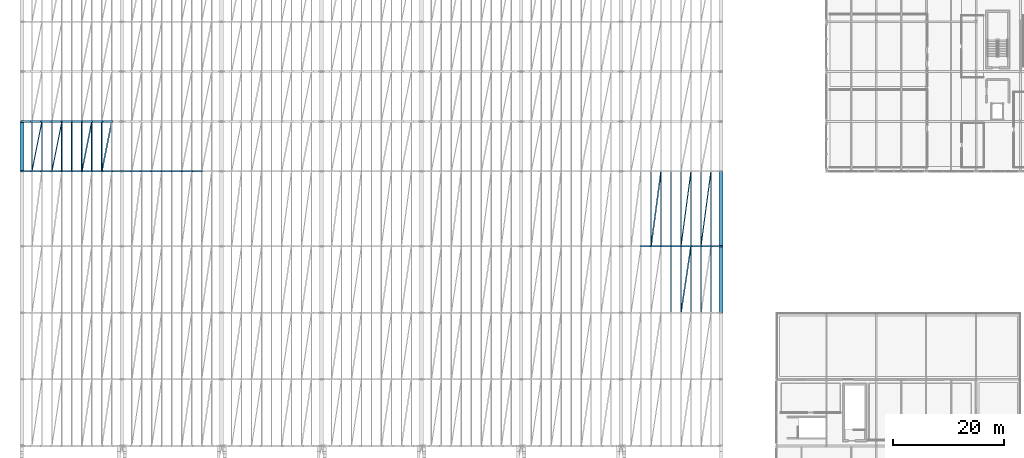
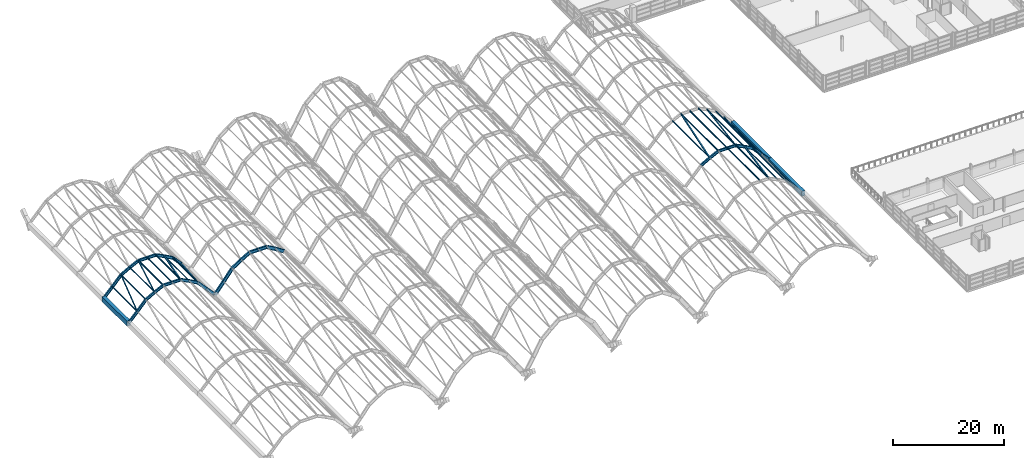
# One storey, part 17 of 86: 38 beams, 28 members.
"""IFC4 building model written with IfcOpenShell, lengths in metres."""

from ifc_helpers import new_model, si_unit, direction, frame, origin, origin_2d, place, context, subcontext, project, spatial, rectangle, i_section, extrude, material, material_profile, profile_set, type_object, element, save


model = new_model("IFC4")

# Units and contexts
model_context = context("Model", 3, precision=1e-05, world=origin(), true_north=direction((0.0, 1.0)))
body_context = subcontext(model_context, "Body", "Model", "MODEL_VIEW")
ifc_project = project(units=[si_unit("LENGTHUNIT", "METRE"), si_unit("AREAUNIT", "SQUARE_METRE"), si_unit("VOLUMEUNIT", "CUBIC_METRE"), si_unit("PLANEANGLEUNIT", "RADIAN"), si_unit("MASSUNIT", "GRAM", prefix="KILO")], contexts=[model_context])

# Site, building, storey
site_placement = place(None, origin())
site = spatial("IfcSite", under=ifc_project, at=site_placement, CompositionType="ELEMENT")
building_placement = place(site_placement, origin())
building = spatial("IfcBuilding", under=site, at=building_placement, Name="Chuanluo Vaults Station", CompositionType="ELEMENT")
storey_placement = place(building_placement, frame((0.0, 0.0, 14.39990234375)))
storey = spatial("IfcBuildingStorey", under=building, at=storey_placement, Name="L03", CompositionType="ELEMENT", Elevation=14.39990234375)

# Beams
ifc_material_1 = material(Name="Concrete C50", Category="concrete")
ifc_material_profile_1 = material_profile(ifc_material_1, rectangle(XDim=0.699951171875, YDim=1.10009765625, at=origin_2d()))
ifc_profile_set_1 = profile_set([ifc_material_profile_1], Name="Concrete C50")
beam_type_1 = type_object("IfcBeamType", Name="BM-VAL-RC", PredefinedType="USERDEFINED", material=ifc_profile_set_1)
beam_1_placement = place(storey_placement, frame((0.0, 67.5, -0.7998046875), z_axis=(0.0, 1.0, 0.0), x_axis=(-1.0, 0.0, 0.0)))
element("IfcBeam", 1, at=beam_1_placement, inside=storey, type_object=beam_type_1, Name="Vault springing valley beam X0-5", ObjectType="GIRDER", PredefinedType="USERDEFINED", context=body_context, shape_type="SweptSolid", body=[
    extrude(rectangle(XDim=0.699951171875, YDim=1.10009765625, at=origin_2d()), origin(), (0.0, 0.0, 1.0), 9.0),
])
beam_2_placement = place(storey_placement, frame((126.0, 42.0, -0.7998046875), z_axis=(0.0, 1.0, 0.0), x_axis=(-1.0, 0.0, 0.0)))
element("IfcBeam", 2, at=beam_2_placement, inside=storey, type_object=beam_type_1, Name="Vault springing valley beam X126-3", ObjectType="GIRDER", PredefinedType="USERDEFINED", context=body_context, shape_type="SweptSolid", body=[
    extrude(rectangle(XDim=0.699951171875, YDim=1.10009765625, at=origin_2d()), origin(), (0.0, 0.0, 1.0), 12.0),
])
beam_3_placement = place(storey_placement, frame((126.0, 54.0, -0.7998046875), z_axis=(0.0, 1.0, 0.0), x_axis=(-1.0, 0.0, 0.0)))
element("IfcBeam", 3, at=beam_3_placement, inside=storey, type_object=beam_type_1, Name="Vault springing valley beam X126-4", ObjectType="GIRDER", PredefinedType="USERDEFINED", context=body_context, shape_type="SweptSolid", body=[
    extrude(rectangle(XDim=0.699951171875, YDim=1.10009765625, at=origin_2d()), origin(), (0.0, 0.0, 1.0), 13.5),
])
ifc_material_2 = material(Name="Steel Q355C", Category="steel")
ifc_material_profile_2 = material_profile(ifc_material_2, i_section(OverallWidth=0.300048828125, OverallDepth=0.587890625, WebThickness=0.011962890625, FlangeThickness=0.02001953125, FilletRadius=0.02392578125, at=origin_2d()))
ifc_profile_set_2 = profile_set([ifc_material_profile_2], Name="Steel Q355C")
beam_type_2 = type_object("IfcBeamType", Name="BM-VLT-600", PredefinedType="USERDEFINED", material=ifc_profile_set_2)
beam_4_placement = place(storey_placement, frame((0.0, 67.5, -0.743896484375), z_axis=(0.684521510403, 0.0, 0.728992662374), x_axis=(0.0, 1.0, 0.0)))
element("IfcBeam", 4, at=beam_4_placement, inside=storey, type_object=beam_type_2, Name="Vault V1 arch rib 5 chord 1", ObjectType="GIRDER", PredefinedType="USERDEFINED", context=body_context, shape_type="SweptSolid", body=[
    extrude(i_section(OverallWidth=0.300048828125, OverallDepth=0.587890625, WebThickness=0.011962890625, FlangeThickness=0.02001953125, FilletRadius=0.02392578125, at=origin_2d()), origin(), (0.0, 0.0, 1.0), 2.629638671875),
])
beam_5_placement = place(storey_placement, frame((1.800048828125, 67.5, 1.173095703125), z_axis=(0.674369120381, 0.0, 0.738394399679), x_axis=(0.0, 1.0, 0.0)))
element("IfcBeam", 5, at=beam_5_placement, inside=storey, type_object=beam_type_2, Name="Vault V1 arch rib 5 chord 2", ObjectType="GIRDER", PredefinedType="USERDEFINED", context=body_context, shape_type="SweptSolid", body=[
    extrude(i_section(OverallWidth=0.300048828125, OverallDepth=0.587890625, WebThickness=0.011962890625, FlangeThickness=0.02001953125, FilletRadius=0.02392578125, at=origin_2d()), origin(), (0.0, 0.0, 1.0), 2.669189453125),
])
beam_6_placement = place(storey_placement, frame((3.60009765625, 67.5, 3.14404296875), z_axis=(0.873681685546, 0.0, 0.486498008569), x_axis=(0.0, 1.0, 0.0)))
element("IfcBeam", 6, at=beam_6_placement, inside=storey, type_object=beam_type_2, Name="Vault V1 arch rib 5 chord 3", ObjectType="GIRDER", PredefinedType="USERDEFINED", context=body_context, shape_type="SweptSolid", body=[
    extrude(i_section(OverallWidth=0.300048828125, OverallDepth=0.587890625, WebThickness=0.011962890625, FlangeThickness=0.02001953125, FilletRadius=0.02392578125, at=origin_2d()), origin(), (0.0, 0.0, 1.0), 2.06005859375),
])
beam_7_placement = place(storey_placement, frame((5.39990234375, 67.5, 4.146240234375), z_axis=(0.896436371213, 0.0, 0.443172463457), x_axis=(0.0, 1.0, 0.0)))
element("IfcBeam", 7, at=beam_7_placement, inside=storey, type_object=beam_type_2, Name="Vault V1 arch rib 5 chord 4", ObjectType="GIRDER", PredefinedType="USERDEFINED", context=body_context, shape_type="SweptSolid", body=[
    extrude(i_section(OverallWidth=0.300048828125, OverallDepth=0.587890625, WebThickness=0.011962890625, FlangeThickness=0.02001953125, FilletRadius=0.02392578125, at=origin_2d()), origin(), (0.0, 0.0, 1.0), 2.008056640625),
])
for number, where, z_axis, x_axis, name in (
    (8, (7.199951171875, 67.5, 5.0361328125), (1.0, 0.0, 0.0), (0.0, 1.0, 0.0), "Vault V1 arch rib 5 chord 5"),
    (9, (9.0, 67.5, 5.0361328125), (1.0, 0.0, 0.0), (0.0, 1.0, 0.0), "Vault V1 arch rib 5 chord 6"),
):
    element("IfcBeam", number, at=place(storey_placement, frame(where, z_axis=z_axis, x_axis=x_axis)), inside=storey, type_object=beam_type_2, Name=name, ObjectType="GIRDER", PredefinedType="USERDEFINED", context=body_context, shape_type="SweptSolid", body=[
        extrude(i_section(OverallWidth=0.300048828125, OverallDepth=0.587890625, WebThickness=0.011962890625, FlangeThickness=0.02001953125, FilletRadius=0.02392578125, at=origin_2d()), origin(), (0.0, 0.0, 1.0), 1.800048828125),
    ])
beam_8_placement = place(storey_placement, frame((10.800048828125, 67.5, 5.0361328125), z_axis=(0.896436371213, 0.0, -0.443172463457), x_axis=(0.0, 1.0, 0.0)))
element("IfcBeam", 10, at=beam_8_placement, inside=storey, type_object=beam_type_2, Name="Vault V1 arch rib 5 chord 7", ObjectType="GIRDER", PredefinedType="USERDEFINED", context=body_context, shape_type="SweptSolid", body=[
    extrude(i_section(OverallWidth=0.300048828125, OverallDepth=0.587890625, WebThickness=0.011962890625, FlangeThickness=0.02001953125, FilletRadius=0.02392578125, at=origin_2d()), origin(), (0.0, 0.0, 1.0), 2.008056640625),
])
beam_9_placement = place(storey_placement, frame((12.60009765625, 67.5, 4.146240234375), z_axis=(0.873681685546, 0.0, -0.486498008569), x_axis=(0.0, 1.0, 0.0)))
element("IfcBeam", 11, at=beam_9_placement, inside=storey, type_object=beam_type_2, Name="Vault V1 arch rib 5 chord 8", ObjectType="GIRDER", PredefinedType="USERDEFINED", context=body_context, shape_type="SweptSolid", body=[
    extrude(i_section(OverallWidth=0.300048828125, OverallDepth=0.587890625, WebThickness=0.011962890625, FlangeThickness=0.02001953125, FilletRadius=0.02392578125, at=origin_2d()), origin(), (0.0, 0.0, 1.0), 2.06005859375),
])
beam_10_placement = place(storey_placement, frame((14.39990234375, 67.5, 3.14404296875), z_axis=(0.674369120381, 0.0, -0.738394399679), x_axis=(0.0, 1.0, 0.0)))
element("IfcBeam", 12, at=beam_10_placement, inside=storey, type_object=beam_type_2, Name="Vault V1 arch rib 5 chord 9", ObjectType="GIRDER", PredefinedType="USERDEFINED", context=body_context, shape_type="SweptSolid", body=[
    extrude(i_section(OverallWidth=0.300048828125, OverallDepth=0.587890625, WebThickness=0.011962890625, FlangeThickness=0.02001953125, FilletRadius=0.02392578125, at=origin_2d()), origin(), (0.0, 0.0, 1.0), 2.669189453125),
])
for number, where, z_axis, x_axis, name in (
    (13, (16.199951171875, 67.5, 1.173095703125), (0.684521510403, 0.0, -0.728992662374), (0.0, 1.0, 0.0), "Vault V1 arch rib 5 chord 10"),
    (14, (0.0, 76.5, -0.743896484375), (0.684521510403, 0.0, 0.728992662374), (0.0, 1.0, 0.0), "Vault V1 arch rib 6 chord 1"),
):
    element("IfcBeam", number, at=place(storey_placement, frame(where, z_axis=z_axis, x_axis=x_axis)), inside=storey, type_object=beam_type_2, Name=name, ObjectType="GIRDER", PredefinedType="USERDEFINED", context=body_context, shape_type="SweptSolid", body=[
        extrude(i_section(OverallWidth=0.300048828125, OverallDepth=0.587890625, WebThickness=0.011962890625, FlangeThickness=0.02001953125, FilletRadius=0.02392578125, at=origin_2d()), origin(), (0.0, 0.0, 1.0), 2.629638671875),
    ])
beam_11_placement = place(storey_placement, frame((1.800048828125, 76.5, 1.173095703125), z_axis=(0.674369120381, 0.0, 0.738394399679), x_axis=(0.0, 1.0, 0.0)))
element("IfcBeam", 15, at=beam_11_placement, inside=storey, type_object=beam_type_2, Name="Vault V1 arch rib 6 chord 2", ObjectType="GIRDER", PredefinedType="USERDEFINED", context=body_context, shape_type="SweptSolid", body=[
    extrude(i_section(OverallWidth=0.300048828125, OverallDepth=0.587890625, WebThickness=0.011962890625, FlangeThickness=0.02001953125, FilletRadius=0.02392578125, at=origin_2d()), origin(), (0.0, 0.0, 1.0), 2.669189453125),
])
beam_12_placement = place(storey_placement, frame((3.60009765625, 76.5, 3.14404296875), z_axis=(0.873681685546, 0.0, 0.486498008569), x_axis=(0.0, 1.0, 0.0)))
element("IfcBeam", 16, at=beam_12_placement, inside=storey, type_object=beam_type_2, Name="Vault V1 arch rib 6 chord 3", ObjectType="GIRDER", PredefinedType="USERDEFINED", context=body_context, shape_type="SweptSolid", body=[
    extrude(i_section(OverallWidth=0.300048828125, OverallDepth=0.587890625, WebThickness=0.011962890625, FlangeThickness=0.02001953125, FilletRadius=0.02392578125, at=origin_2d()), origin(), (0.0, 0.0, 1.0), 2.06005859375),
])
beam_13_placement = place(storey_placement, frame((5.39990234375, 76.5, 4.146240234375), z_axis=(0.896436371213, 0.0, 0.443172463457), x_axis=(0.0, 1.0, 0.0)))
element("IfcBeam", 17, at=beam_13_placement, inside=storey, type_object=beam_type_2, Name="Vault V1 arch rib 6 chord 4", ObjectType="GIRDER", PredefinedType="USERDEFINED", context=body_context, shape_type="SweptSolid", body=[
    extrude(i_section(OverallWidth=0.300048828125, OverallDepth=0.587890625, WebThickness=0.011962890625, FlangeThickness=0.02001953125, FilletRadius=0.02392578125, at=origin_2d()), origin(), (0.0, 0.0, 1.0), 2.008056640625),
])
for number, where, z_axis, x_axis, name in (
    (18, (7.199951171875, 76.5, 5.0361328125), (1.0, 0.0, 0.0), (0.0, 1.0, 0.0), "Vault V1 arch rib 6 chord 5"),
    (19, (9.0, 76.5, 5.0361328125), (1.0, 0.0, 0.0), (0.0, 1.0, 0.0), "Vault V1 arch rib 6 chord 6"),
):
    element("IfcBeam", number, at=place(storey_placement, frame(where, z_axis=z_axis, x_axis=x_axis)), inside=storey, type_object=beam_type_2, Name=name, ObjectType="GIRDER", PredefinedType="USERDEFINED", context=body_context, shape_type="SweptSolid", body=[
        extrude(i_section(OverallWidth=0.300048828125, OverallDepth=0.587890625, WebThickness=0.011962890625, FlangeThickness=0.02001953125, FilletRadius=0.02392578125, at=origin_2d()), origin(), (0.0, 0.0, 1.0), 1.800048828125),
    ])
beam_14_placement = place(storey_placement, frame((10.800048828125, 76.5, 5.0361328125), z_axis=(0.896436371213, 0.0, -0.443172463457), x_axis=(0.0, 1.0, 0.0)))
element("IfcBeam", 20, at=beam_14_placement, inside=storey, type_object=beam_type_2, Name="Vault V1 arch rib 6 chord 7", ObjectType="GIRDER", PredefinedType="USERDEFINED", context=body_context, shape_type="SweptSolid", body=[
    extrude(i_section(OverallWidth=0.300048828125, OverallDepth=0.587890625, WebThickness=0.011962890625, FlangeThickness=0.02001953125, FilletRadius=0.02392578125, at=origin_2d()), origin(), (0.0, 0.0, 1.0), 2.008056640625),
])
beam_15_placement = place(storey_placement, frame((12.60009765625, 76.5, 4.146240234375), z_axis=(0.873681685546, 0.0, -0.486498008569), x_axis=(0.0, 1.0, 0.0)))
element("IfcBeam", 21, at=beam_15_placement, inside=storey, type_object=beam_type_2, Name="Vault V1 arch rib 6 chord 8", ObjectType="GIRDER", PredefinedType="USERDEFINED", context=body_context, shape_type="SweptSolid", body=[
    extrude(i_section(OverallWidth=0.300048828125, OverallDepth=0.587890625, WebThickness=0.011962890625, FlangeThickness=0.02001953125, FilletRadius=0.02392578125, at=origin_2d()), origin(), (0.0, 0.0, 1.0), 2.06005859375),
])
beam_16_placement = place(storey_placement, frame((14.39990234375, 76.5, 3.14404296875), z_axis=(0.674369120381, 0.0, -0.738394399679), x_axis=(0.0, 1.0, 0.0)))
element("IfcBeam", 22, at=beam_16_placement, inside=storey, type_object=beam_type_2, Name="Vault V1 arch rib 6 chord 9", ObjectType="GIRDER", PredefinedType="USERDEFINED", context=body_context, shape_type="SweptSolid", body=[
    extrude(i_section(OverallWidth=0.300048828125, OverallDepth=0.587890625, WebThickness=0.011962890625, FlangeThickness=0.02001953125, FilletRadius=0.02392578125, at=origin_2d()), origin(), (0.0, 0.0, 1.0), 2.669189453125),
])
beam_17_placement = place(storey_placement, frame((111.60009765625, 54.0, 3.14404296875), z_axis=(0.873681685546, 0.0, 0.486498008569), x_axis=(0.0, 1.0, 0.0)))
element("IfcBeam", 23, at=beam_17_placement, inside=storey, type_object=beam_type_2, Name="Vault V7 arch rib 4 chord 3", ObjectType="GIRDER", PredefinedType="USERDEFINED", context=body_context, shape_type="SweptSolid", body=[
    extrude(i_section(OverallWidth=0.300048828125, OverallDepth=0.587890625, WebThickness=0.011962890625, FlangeThickness=0.02001953125, FilletRadius=0.02392578125, at=origin_2d()), origin(), (0.0, 0.0, 1.0), 2.06005859375),
])
beam_18_placement = place(storey_placement, frame((113.39990234375, 54.0, 4.146240234375), z_axis=(0.896436371213, 0.0, 0.443172463457), x_axis=(0.0, 1.0, 0.0)))
element("IfcBeam", 24, at=beam_18_placement, inside=storey, type_object=beam_type_2, Name="Vault V7 arch rib 4 chord 4", ObjectType="GIRDER", PredefinedType="USERDEFINED", context=body_context, shape_type="SweptSolid", body=[
    extrude(i_section(OverallWidth=0.300048828125, OverallDepth=0.587890625, WebThickness=0.011962890625, FlangeThickness=0.02001953125, FilletRadius=0.02392578125, at=origin_2d()), origin(), (0.0, 0.0, 1.0), 2.008056640625),
])
for number, where, z_axis, x_axis, name in (
    (25, (115.199951171875, 54.0, 5.0361328125), (1.0, 0.0, 0.0), (0.0, 1.0, 0.0), "Vault V7 arch rib 4 chord 5"),
    (26, (117.0, 54.0, 5.0361328125), (1.0, 0.0, 0.0), (0.0, 1.0, 0.0), "Vault V7 arch rib 4 chord 6"),
):
    element("IfcBeam", number, at=place(storey_placement, frame(where, z_axis=z_axis, x_axis=x_axis)), inside=storey, type_object=beam_type_2, Name=name, ObjectType="GIRDER", PredefinedType="USERDEFINED", context=body_context, shape_type="SweptSolid", body=[
        extrude(i_section(OverallWidth=0.300048828125, OverallDepth=0.587890625, WebThickness=0.011962890625, FlangeThickness=0.02001953125, FilletRadius=0.02392578125, at=origin_2d()), origin(), (0.0, 0.0, 1.0), 1.800048828125),
    ])
beam_19_placement = place(storey_placement, frame((118.800048828125, 54.0, 5.0361328125), z_axis=(0.896436371213, 0.0, -0.443172463457), x_axis=(0.0, 1.0, 0.0)))
element("IfcBeam", 27, at=beam_19_placement, inside=storey, type_object=beam_type_2, Name="Vault V7 arch rib 4 chord 7", ObjectType="GIRDER", PredefinedType="USERDEFINED", context=body_context, shape_type="SweptSolid", body=[
    extrude(i_section(OverallWidth=0.300048828125, OverallDepth=0.587890625, WebThickness=0.011962890625, FlangeThickness=0.02001953125, FilletRadius=0.02392578125, at=origin_2d()), origin(), (0.0, 0.0, 1.0), 2.008056640625),
])
beam_20_placement = place(storey_placement, frame((120.60009765625, 54.0, 4.146240234375), z_axis=(0.873681685546, 0.0, -0.486498008569), x_axis=(0.0, 1.0, 0.0)))
element("IfcBeam", 28, at=beam_20_placement, inside=storey, type_object=beam_type_2, Name="Vault V7 arch rib 4 chord 8", ObjectType="GIRDER", PredefinedType="USERDEFINED", context=body_context, shape_type="SweptSolid", body=[
    extrude(i_section(OverallWidth=0.300048828125, OverallDepth=0.587890625, WebThickness=0.011962890625, FlangeThickness=0.02001953125, FilletRadius=0.02392578125, at=origin_2d()), origin(), (0.0, 0.0, 1.0), 2.06005859375),
])
beam_21_placement = place(storey_placement, frame((122.39990234375, 54.0, 3.14404296875), z_axis=(0.674369120381, 0.0, -0.738394399679), x_axis=(0.0, 1.0, 0.0)))
element("IfcBeam", 29, at=beam_21_placement, inside=storey, type_object=beam_type_2, Name="Vault V7 arch rib 4 chord 9", ObjectType="GIRDER", PredefinedType="USERDEFINED", context=body_context, shape_type="SweptSolid", body=[
    extrude(i_section(OverallWidth=0.300048828125, OverallDepth=0.587890625, WebThickness=0.011962890625, FlangeThickness=0.02001953125, FilletRadius=0.02392578125, at=origin_2d()), origin(), (0.0, 0.0, 1.0), 2.669189453125),
])
beam_22_placement = place(storey_placement, frame((124.199951171875, 54.0, 1.173095703125), z_axis=(0.684521510403, 0.0, -0.728992662374), x_axis=(0.0, 1.0, 0.0)))
element("IfcBeam", 30, at=beam_22_placement, inside=storey, type_object=beam_type_2, Name="Vault V7 arch rib 4 chord 10", ObjectType="GIRDER", PredefinedType="USERDEFINED", context=body_context, shape_type="SweptSolid", body=[
    extrude(i_section(OverallWidth=0.300048828125, OverallDepth=0.587890625, WebThickness=0.011962890625, FlangeThickness=0.02001953125, FilletRadius=0.02392578125, at=origin_2d()), origin(), (0.0, 0.0, 1.0), 2.629638671875),
])
ifc_material_3 = material(Name="Steel Q355C", Category="steel")
ifc_material_profile_3 = material_profile(ifc_material_3, i_section(OverallWidth=0.300048828125, OverallDepth=0.699951171875, WebThickness=0.012939453125, FlangeThickness=0.02392578125, FilletRadius=0.02392578125, at=origin_2d()))
ifc_profile_set_3 = profile_set([ifc_material_profile_3], Name="Steel Q355C")
beam_type_3 = type_object("IfcBeamType", Name="BM-VLT-700", PredefinedType="USERDEFINED", material=ifc_profile_set_3)
beam_23_placement = place(storey_placement, frame((18.0, 67.5, -0.7998046875), z_axis=(0.628190338877, 0.0, 0.778059700885), x_axis=(0.0, 1.0, 0.0)))
element("IfcBeam", 31, at=beam_23_placement, inside=storey, type_object=beam_type_3, Name="Vault V2 arch rib 5 chord 1", ObjectType="GIRDER", PredefinedType="USERDEFINED", context=body_context, shape_type="SweptSolid", body=[
    extrude(i_section(OverallWidth=0.300048828125, OverallDepth=0.699951171875, WebThickness=0.012939453125, FlangeThickness=0.02392578125, FilletRadius=0.02392578125, at=origin_2d()), origin(), (0.0, 0.0, 1.0), 2.865478515625),
])
beam_24_placement = place(storey_placement, frame((19.800048828125, 67.5, 1.4296875), z_axis=(0.613681275736, 0.0, 0.789553856182), x_axis=(0.0, 1.0, 0.0)))
element("IfcBeam", 32, at=beam_24_placement, inside=storey, type_object=beam_type_3, Name="Vault V2 arch rib 5 chord 2", ObjectType="GIRDER", PredefinedType="USERDEFINED", context=body_context, shape_type="SweptSolid", body=[
    extrude(i_section(OverallWidth=0.300048828125, OverallDepth=0.699951171875, WebThickness=0.012939453125, FlangeThickness=0.02392578125, FilletRadius=0.02392578125, at=origin_2d()), origin(), (0.0, 0.0, 1.0), 2.93310546875),
])
beam_25_placement = place(storey_placement, frame((21.60009765625, 67.5, 3.74560546875), z_axis=(0.836145448105, 0.0, 0.54850778446), x_axis=(0.0, 1.0, 0.0)))
element("IfcBeam", 33, at=beam_25_placement, inside=storey, type_object=beam_type_3, Name="Vault V2 arch rib 5 chord 3", ObjectType="GIRDER", PredefinedType="USERDEFINED", context=body_context, shape_type="SweptSolid", body=[
    extrude(i_section(OverallWidth=0.300048828125, OverallDepth=0.699951171875, WebThickness=0.012939453125, FlangeThickness=0.02392578125, FilletRadius=0.02392578125, at=origin_2d()), origin(), (0.0, 0.0, 1.0), 2.152587890625),
])
beam_26_placement = place(storey_placement, frame((23.39990234375, 67.5, 4.92626953125), z_axis=(0.863009490662, 0.0, 0.505187706727), x_axis=(0.0, 1.0, 0.0)))
element("IfcBeam", 34, at=beam_26_placement, inside=storey, type_object=beam_type_3, Name="Vault V2 arch rib 5 chord 4", ObjectType="GIRDER", PredefinedType="USERDEFINED", context=body_context, shape_type="SweptSolid", body=[
    extrude(i_section(OverallWidth=0.300048828125, OverallDepth=0.699951171875, WebThickness=0.012939453125, FlangeThickness=0.02392578125, FilletRadius=0.02392578125, at=origin_2d()), origin(), (0.0, 0.0, 1.0), 2.085693359375),
])
for number, where, z_axis, x_axis, name in (
    (35, (25.199951171875, 67.5, 5.97998046875), (1.0, 0.0, 0.0), (0.0, 1.0, 0.0), "Vault V2 arch rib 5 chord 5"),
    (36, (27.0, 67.5, 5.97998046875), (1.0, 0.0, 0.0), (0.0, 1.0, 0.0), "Vault V2 arch rib 5 chord 6"),
):
    element("IfcBeam", number, at=place(storey_placement, frame(where, z_axis=z_axis, x_axis=x_axis)), inside=storey, type_object=beam_type_3, Name=name, ObjectType="GIRDER", PredefinedType="USERDEFINED", context=body_context, shape_type="SweptSolid", body=[
        extrude(i_section(OverallWidth=0.300048828125, OverallDepth=0.699951171875, WebThickness=0.012939453125, FlangeThickness=0.02392578125, FilletRadius=0.02392578125, at=origin_2d()), origin(), (0.0, 0.0, 1.0), 1.800048828125),
    ])
beam_27_placement = place(storey_placement, frame((28.800048828125, 67.5, 5.97998046875), z_axis=(0.863009490662, 0.0, -0.505187706727), x_axis=(0.0, 1.0, 0.0)))
element("IfcBeam", 37, at=beam_27_placement, inside=storey, type_object=beam_type_3, Name="Vault V2 arch rib 5 chord 7", ObjectType="GIRDER", PredefinedType="USERDEFINED", context=body_context, shape_type="SweptSolid", body=[
    extrude(i_section(OverallWidth=0.300048828125, OverallDepth=0.699951171875, WebThickness=0.012939453125, FlangeThickness=0.02392578125, FilletRadius=0.02392578125, at=origin_2d()), origin(), (0.0, 0.0, 1.0), 2.085693359375),
])
beam_28_placement = place(storey_placement, frame((30.60009765625, 67.5, 4.92626953125), z_axis=(0.836145448105, 0.0, -0.54850778446), x_axis=(0.0, 1.0, 0.0)))
element("IfcBeam", 38, at=beam_28_placement, inside=storey, type_object=beam_type_3, Name="Vault V2 arch rib 5 chord 8", ObjectType="GIRDER", PredefinedType="USERDEFINED", context=body_context, shape_type="SweptSolid", body=[
    extrude(i_section(OverallWidth=0.300048828125, OverallDepth=0.699951171875, WebThickness=0.012939453125, FlangeThickness=0.02392578125, FilletRadius=0.02392578125, at=origin_2d()), origin(), (0.0, 0.0, 1.0), 2.152587890625),
])

# Members
ifc_material_4 = material(Name="Steel Q355C", Category="steel")
ifc_material_profile_4 = material_profile(ifc_material_4, i_section(OverallWidth=0.125, OverallDepth=0.25, WebThickness=0.006103515625, FlangeThickness=0.009033203125, FilletRadius=0.011962890625, at=origin_2d()))
ifc_profile_set_4 = profile_set([ifc_material_profile_4], Name="Steel Q355C")
member_type_1 = type_object("IfcMemberType", Name="MEM-PUR-250", PredefinedType="PURLIN", material=ifc_profile_set_4)
for number, where, z_axis, x_axis, name in (
    (39, (1.800048828125, 67.5, 1.213134765625), (0.0, 1.0, 0.0), (-1.0, 0.0, 0.0), "Vault V1 purlin 5.1"),
    (40, (3.60009765625, 67.5, 3.206787109375), (0.0, 1.0, 0.0), (-1.0, 0.0, 0.0), "Vault V1 purlin 5.2"),
    (41, (5.39990234375, 67.5, 4.23779296875), (0.0, 1.0, 0.0), (-1.0, 0.0, 0.0), "Vault V1 purlin 5.3"),
    (42, (12.60009765625, 67.5, 4.23779296875), (0.0, 1.0, 0.0), (-1.0, 0.0, 0.0), "Vault V1 purlin 5.7"),
    (43, (14.39990234375, 67.5, 3.206787109375), (0.0, 1.0, 0.0), (-1.0, 0.0, 0.0), "Vault V1 purlin 5.8"),
):
    element("IfcMember", number, at=place(storey_placement, frame(where, z_axis=z_axis, x_axis=x_axis)), inside=storey, type_object=member_type_1, Name=name, PredefinedType="PURLIN", context=body_context, shape_type="SweptSolid", body=[
        extrude(i_section(OverallWidth=0.125, OverallDepth=0.25, WebThickness=0.006103515625, FlangeThickness=0.009033203125, FilletRadius=0.011962890625, at=origin_2d()), origin(), (0.0, 0.0, 1.0), 9.0),
    ])
for number, where, z_axis, x_axis, name in (
    (44, (120.60009765625, 42.0, 4.23779296875), (0.0, 1.0, 0.0), (-1.0, 0.0, 0.0), "Vault V7 purlin 3.7"),
    (45, (122.39990234375, 42.0, 3.206787109375), (0.0, 1.0, 0.0), (-1.0, 0.0, 0.0), "Vault V7 purlin 3.8"),
    (46, (124.199951171875, 42.0, 1.213134765625), (0.0, 1.0, 0.0), (-1.0, 0.0, 0.0), "Vault V7 purlin 3.9"),
):
    element("IfcMember", number, at=place(storey_placement, frame(where, z_axis=z_axis, x_axis=x_axis)), inside=storey, type_object=member_type_1, Name=name, PredefinedType="PURLIN", context=body_context, shape_type="SweptSolid", body=[
        extrude(i_section(OverallWidth=0.125, OverallDepth=0.25, WebThickness=0.006103515625, FlangeThickness=0.009033203125, FilletRadius=0.011962890625, at=origin_2d()), origin(), (0.0, 0.0, 1.0), 12.0),
    ])
for number, where, z_axis, x_axis, name in (
    (47, (113.39990234375, 54.0, 4.23779296875), (0.0, 1.0, 0.0), (-1.0, 0.0, 0.0), "Vault V7 purlin 4.3"),
    (48, (120.60009765625, 54.0, 4.23779296875), (0.0, 1.0, 0.0), (-1.0, 0.0, 0.0), "Vault V7 purlin 4.7"),
    (49, (122.39990234375, 54.0, 3.206787109375), (0.0, 1.0, 0.0), (-1.0, 0.0, 0.0), "Vault V7 purlin 4.8"),
    (50, (124.199951171875, 54.0, 1.213134765625), (0.0, 1.0, 0.0), (-1.0, 0.0, 0.0), "Vault V7 purlin 4.9"),
):
    element("IfcMember", number, at=place(storey_placement, frame(where, z_axis=z_axis, x_axis=x_axis)), inside=storey, type_object=member_type_1, Name=name, PredefinedType="PURLIN", context=body_context, shape_type="SweptSolid", body=[
        extrude(i_section(OverallWidth=0.125, OverallDepth=0.25, WebThickness=0.006103515625, FlangeThickness=0.009033203125, FilletRadius=0.011962890625, at=origin_2d()), origin(), (0.0, 0.0, 1.0), 13.5),
    ])
ifc_material_5 = material(Name="Steel Q355C", Category="steel")
ifc_material_profile_5 = material_profile(ifc_material_5, i_section(OverallWidth=0.14990234375, OverallDepth=0.300048828125, WebThickness=0.006591796875, FlangeThickness=0.009033203125, FilletRadius=0.012939453125, at=origin_2d()))
ifc_profile_set_5 = profile_set([ifc_material_profile_5], Name="Steel Q355C")
member_type_2 = type_object("IfcMemberType", Name="MEM-PUR-300", PredefinedType="PURLIN", material=ifc_profile_set_5)
for number, where, z_axis, x_axis, name in (
    (51, (7.199951171875, 67.5, 5.102294921875), (0.0, 1.0, 0.0), (-1.0, 0.0, 0.0), "Vault V1 purlin 5.4"),
    (52, (9.0, 67.5, 5.172119140625), (0.0, 1.0, 0.0), (-1.0, 0.0, 0.0), "Vault V1 purlin 5.5"),
    (53, (10.800048828125, 67.5, 5.102294921875), (0.0, 1.0, 0.0), (-1.0, 0.0, 0.0), "Vault V1 purlin 5.6"),
):
    element("IfcMember", number, at=place(storey_placement, frame(where, z_axis=z_axis, x_axis=x_axis)), inside=storey, type_object=member_type_2, Name=name, PredefinedType="PURLIN", context=body_context, shape_type="SweptSolid", body=[
        extrude(i_section(OverallWidth=0.14990234375, OverallDepth=0.300048828125, WebThickness=0.006591796875, FlangeThickness=0.009033203125, FilletRadius=0.012939453125, at=origin_2d()), origin(), (0.0, 0.0, 1.0), 9.0),
    ])
for number, where, z_axis, x_axis, name in (
    (54, (117.0, 42.0, 5.172119140625), (0.0, 1.0, 0.0), (-1.0, 0.0, 0.0), "Vault V7 purlin 3.5"),
    (55, (118.800048828125, 42.0, 5.102294921875), (0.0, 1.0, 0.0), (-1.0, 0.0, 0.0), "Vault V7 purlin 3.6"),
):
    element("IfcMember", number, at=place(storey_placement, frame(where, z_axis=z_axis, x_axis=x_axis)), inside=storey, type_object=member_type_2, Name=name, PredefinedType="PURLIN", context=body_context, shape_type="SweptSolid", body=[
        extrude(i_section(OverallWidth=0.14990234375, OverallDepth=0.300048828125, WebThickness=0.006591796875, FlangeThickness=0.009033203125, FilletRadius=0.012939453125, at=origin_2d()), origin(), (0.0, 0.0, 1.0), 12.0),
    ])
for number, where, z_axis, x_axis, name in (
    (56, (115.199951171875, 54.0, 5.102294921875), (0.0, 1.0, 0.0), (-1.0, 0.0, 0.0), "Vault V7 purlin 4.4"),
    (57, (117.0, 54.0, 5.172119140625), (0.0, 1.0, 0.0), (-1.0, 0.0, 0.0), "Vault V7 purlin 4.5"),
    (58, (118.800048828125, 54.0, 5.102294921875), (0.0, 1.0, 0.0), (-1.0, 0.0, 0.0), "Vault V7 purlin 4.6"),
):
    element("IfcMember", number, at=place(storey_placement, frame(where, z_axis=z_axis, x_axis=x_axis)), inside=storey, type_object=member_type_2, Name=name, PredefinedType="PURLIN", context=body_context, shape_type="SweptSolid", body=[
        extrude(i_section(OverallWidth=0.14990234375, OverallDepth=0.300048828125, WebThickness=0.006591796875, FlangeThickness=0.009033203125, FilletRadius=0.012939453125, at=origin_2d()), origin(), (0.0, 0.0, 1.0), 13.5),
    ])
ifc_material_6 = material(Name="Steel Q355C", Category="steel")
ifc_material_profile_6 = material_profile(ifc_material_6, i_section(OverallWidth=0.199951171875, OverallDepth=0.199951171875, WebThickness=0.008056640625, FlangeThickness=0.011962890625, FilletRadius=0.012939453125, at=origin_2d()))
ifc_profile_set_6 = profile_set([ifc_material_profile_6], Name="Steel Q355C")
member_type_3 = type_object("IfcMemberType", Name="MEM-VBR-200", PredefinedType="BRACE", material=ifc_profile_set_6)
member_1_placement = place(storey_placement, frame((1.800048828125, 67.5, 1.213134765625), z_axis=(0.191652062064, 0.958234316551, 0.212265121228), x_axis=(-0.980579652604, 0.196121250506, 0.0)))
element("IfcMember", 59, at=member_1_placement, inside=storey, type_object=member_type_3, Name="Vault V1 space-frame diagonal 5.1", PredefinedType="BRACE", context=body_context, shape_type="SweptSolid", body=[
    extrude(i_section(OverallWidth=0.199951171875, OverallDepth=0.199951171875, WebThickness=0.008056640625, FlangeThickness=0.011962890625, FilletRadius=0.012939453125, at=origin_2d()), origin(), (0.0, 0.0, 1.0), 9.392333984375),
])
member_2_placement = place(storey_placement, frame((5.39990234375, 67.5, 4.23779296875), z_axis=(0.195257020583, 0.976258620206, 0.093775275991), x_axis=(-0.980579652604, 0.196121250506, 0.0)))
element("IfcMember", 60, at=member_2_placement, inside=storey, type_object=member_type_3, Name="Vault V1 space-frame diagonal 5.3", PredefinedType="BRACE", context=body_context, shape_type="SweptSolid", body=[
    extrude(i_section(OverallWidth=0.199951171875, OverallDepth=0.199951171875, WebThickness=0.008056640625, FlangeThickness=0.011962890625, FilletRadius=0.012939453125, at=origin_2d()), origin(), (0.0, 0.0, 1.0), 9.21875),
])
member_3_placement = place(storey_placement, frame((118.800048828125, 54.0, 5.102294921875), z_axis=(0.131901785182, 0.989236554103, -0.063347920972), x_axis=(-0.991227431004, 0.132167242636, 0.0)))
element("IfcMember", 61, at=member_3_placement, inside=storey, type_object=member_type_3, Name="Vault V7 space-frame diagonal 4.6", PredefinedType="BRACE", context=body_context, shape_type="SweptSolid", body=[
    extrude(i_section(OverallWidth=0.199951171875, OverallDepth=0.199951171875, WebThickness=0.008056640625, FlangeThickness=0.011962890625, FilletRadius=0.012939453125, at=origin_2d()), origin(), (0.0, 0.0, 1.0), 13.64697265625),
])
member_4_placement = place(storey_placement, frame((122.39990234375, 54.0, 3.206787109375), z_axis=(0.130773572754, 0.980775190422, -0.144838870895), x_axis=(-0.991227431004, 0.132167242636, 0.0)))
element("IfcMember", 62, at=member_4_placement, inside=storey, type_object=member_type_3, Name="Vault V7 space-frame diagonal 4.8", PredefinedType="BRACE", context=body_context, shape_type="SweptSolid", body=[
    extrude(i_section(OverallWidth=0.199951171875, OverallDepth=0.199951171875, WebThickness=0.008056640625, FlangeThickness=0.011962890625, FilletRadius=0.012939453125, at=origin_2d()), origin(), (0.0, 0.0, 1.0), 13.7646484375),
])
ifc_material_7 = material(Name="Steel Q355C", Category="steel")
ifc_material_profile_7 = material_profile(ifc_material_7, i_section(OverallWidth=0.25, OverallDepth=0.25, WebThickness=0.009033203125, FlangeThickness=0.013916015625, FilletRadius=0.01611328125, at=origin_2d()))
ifc_profile_set_7 = profile_set([ifc_material_profile_7], Name="Steel Q355C")
member_type_4 = type_object("IfcMemberType", Name="MEM-VBR-250", PredefinedType="BRACE", material=ifc_profile_set_7)
member_5_placement = place(storey_placement, frame((10.800048828125, 67.5, 5.102294921875), z_axis=(0.195257020583, 0.976258620206, -0.093775275991), x_axis=(-0.980579652604, 0.196121250506, 0.0)))
element("IfcMember", 63, at=member_5_placement, inside=storey, type_object=member_type_4, Name="Vault V1 space-frame diagonal 5.6", PredefinedType="BRACE", context=body_context, shape_type="SweptSolid", body=[
    extrude(i_section(OverallWidth=0.25, OverallDepth=0.25, WebThickness=0.009033203125, FlangeThickness=0.013916015625, FilletRadius=0.01611328125, at=origin_2d()), origin(), (0.0, 0.0, 1.0), 9.21875),
])
member_6_placement = place(storey_placement, frame((14.39990234375, 67.5, 3.206787109375), z_axis=(0.191652062064, 0.958234316551, -0.212265121228), x_axis=(-0.980579652604, 0.196121250506, 0.0)))
element("IfcMember", 64, at=member_6_placement, inside=storey, type_object=member_type_4, Name="Vault V1 space-frame diagonal 5.8", PredefinedType="BRACE", context=body_context, shape_type="SweptSolid", body=[
    extrude(i_section(OverallWidth=0.25, OverallDepth=0.25, WebThickness=0.009033203125, FlangeThickness=0.013916015625, FilletRadius=0.01611328125, at=origin_2d()), origin(), (0.0, 0.0, 1.0), 9.392333984375),
])
member_7_placement = place(storey_placement, frame((118.800048828125, 42.0, 5.102294921875), z_axis=(0.147969331357, 0.986435450271, -0.071064614449), x_axis=(-0.988935762544, 0.148344388372, 0.0)))
element("IfcMember", 65, at=member_7_placement, inside=storey, type_object=member_type_4, Name="Vault V7 space-frame diagonal 3.6", PredefinedType="BRACE", context=body_context, shape_type="SweptSolid", body=[
    extrude(i_section(OverallWidth=0.25, OverallDepth=0.25, WebThickness=0.009033203125, FlangeThickness=0.013916015625, FilletRadius=0.01611328125, at=origin_2d()), origin(), (0.0, 0.0, 1.0), 12.1650390625),
])
member_8_placement = place(storey_placement, frame((113.39990234375, 54.0, 4.23779296875), z_axis=(0.131901785182, 0.989236554103, 0.063347920972), x_axis=(-0.991227431004, 0.132167242636, 0.0)))
element("IfcMember", 66, at=member_8_placement, inside=storey, type_object=member_type_4, Name="Vault V7 space-frame diagonal 4.3", PredefinedType="BRACE", context=body_context, shape_type="SweptSolid", body=[
    extrude(i_section(OverallWidth=0.25, OverallDepth=0.25, WebThickness=0.009033203125, FlangeThickness=0.013916015625, FilletRadius=0.01611328125, at=origin_2d()), origin(), (0.0, 0.0, 1.0), 13.64697265625),
])

save(model, "model.ifc")
